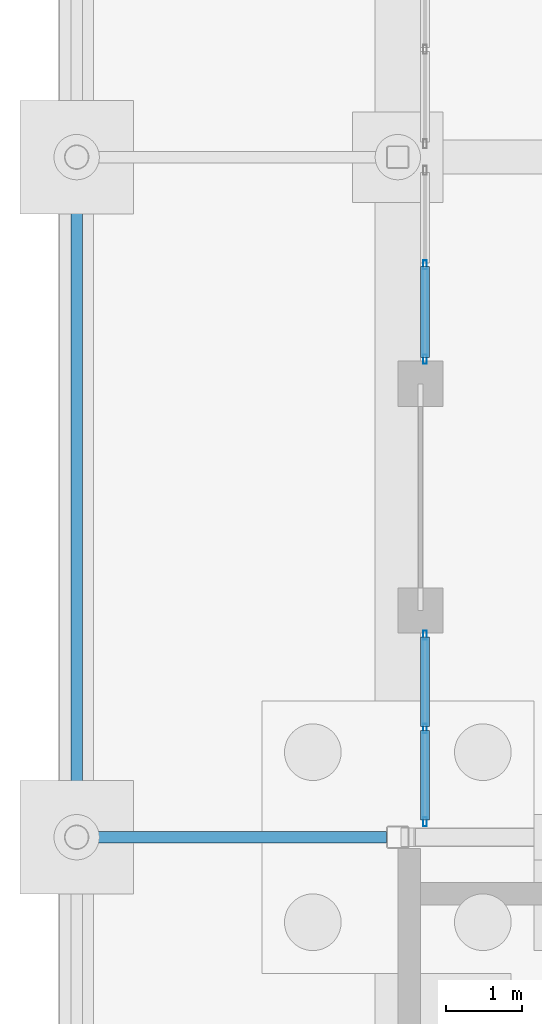
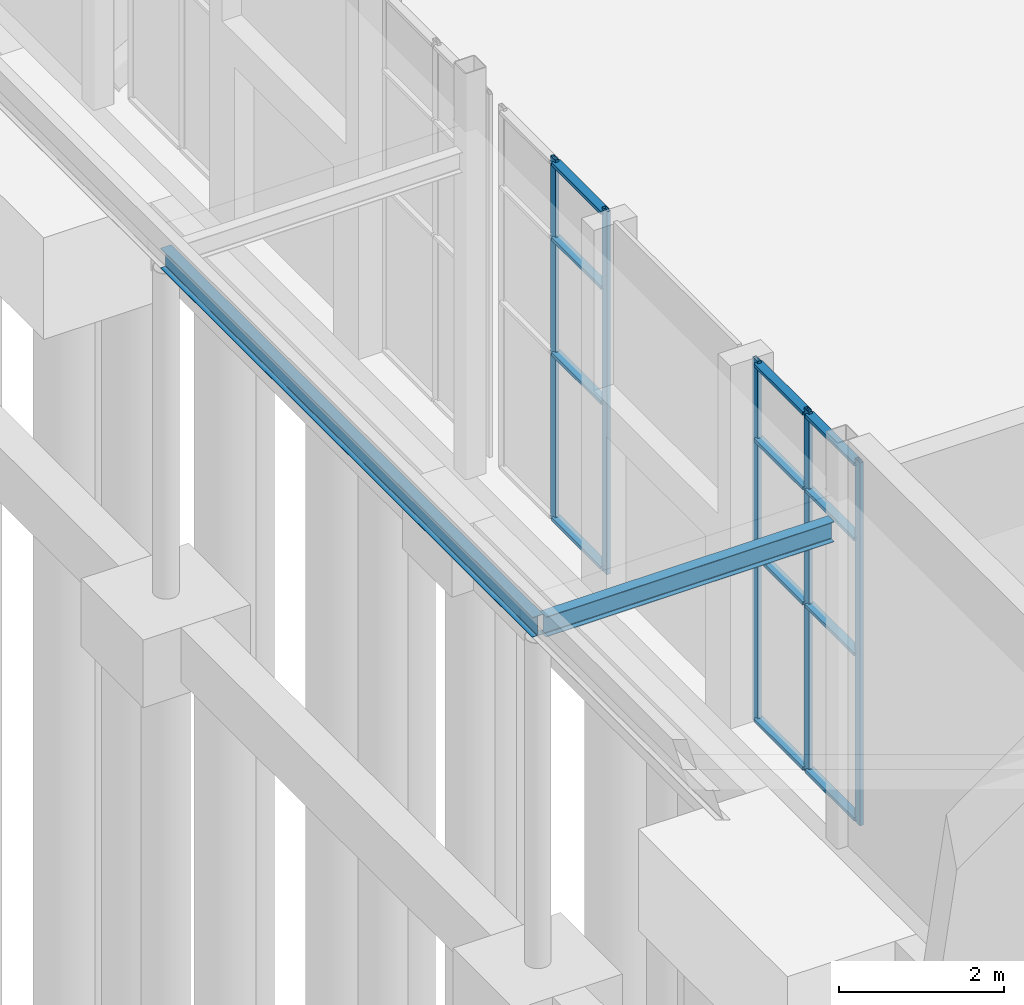
# One storey, part 48 of 139: 17 members, 2 beams, 2 elements without a shape of their own.
"""IFC4 building model written with IfcOpenShell, lengths in metres."""

from ifc_helpers import new_model, si_unit, direction, frame, origin, origin_2d, place, context, subcontext, project, spatial, hollow_rectangle, i_section, extrude, material, layer, layer_set, material_profile, profile_set, type_object, element, aggregate, save


model = new_model("IFC4")

# Units and contexts
model_context = context("Model", 3, precision=1e-05, world=origin(), true_north=direction((0.0, 1.0)))
body_context = subcontext(model_context, "Body", "Model", "MODEL_VIEW")
ifc_project = project(units=[si_unit("LENGTHUNIT", "METRE"), si_unit("AREAUNIT", "SQUARE_METRE"), si_unit("VOLUMEUNIT", "CUBIC_METRE"), si_unit("PLANEANGLEUNIT", "RADIAN"), si_unit("MASSUNIT", "GRAM", prefix="KILO")], contexts=[model_context])

# Site, building, storey
site_placement = place(None, origin())
site = spatial("IfcSite", under=ifc_project, at=site_placement, CompositionType="ELEMENT")
building_placement = place(site_placement, origin())
building = spatial("IfcBuilding", under=site, at=building_placement, Name="Shorebreak Coast Museum", CompositionType="ELEMENT")
storey_placement = place(building_placement, origin())
storey = spatial("IfcBuildingStorey", under=building, at=storey_placement, Name="L00", CompositionType="ELEMENT", Elevation=0.0)

# Beams
ifc_material_1 = material(Name="Steel Grade 300", Category="steel")
ifc_material_profile_1 = material_profile(ifc_material_1, i_section(OverallWidth=0.14892578125, OverallDepth=0.298095703125, WebThickness=0.005615234375, FlangeThickness=0.008056640625, FilletRadius=0.012939453125, at=origin_2d()), Name="310UB32.0")
ifc_profile_set_1 = profile_set([ifc_material_profile_1], Name="Steel Grade 300")
beam_type_1 = type_object("IfcBeamType", Name="Arcade edge beam 310UB32.0", PredefinedType="BEAM", material=ifc_profile_set_1)
beam_1_placement = place(storey_placement, frame((-4.25, 63.0, 4.65087890625), z_axis=(0.0, 1.0, 0.0), x_axis=(-1.0, 0.0, 0.0)))
element("IfcBeam", 1, at=beam_1_placement, inside=storey, type_object=beam_type_1, Name="Arcade edge beam west 2", PredefinedType="BEAM", context=body_context, shape_type="SweptSolid", body=[
    extrude(i_section(OverallWidth=0.14892578125, OverallDepth=0.298095703125, WebThickness=0.005615234375, FlangeThickness=0.008056640625, FilletRadius=0.012939453125, at=origin_2d()), origin(), (0.0, 0.0, 1.0), 9.0),
])
ifc_material_2 = material(Name="Steel Grade 300", Category="steel")
ifc_material_profile_2 = material_profile(ifc_material_2, i_section(OverallWidth=0.14892578125, OverallDepth=0.298095703125, WebThickness=0.005615234375, FlangeThickness=0.008056640625, FilletRadius=0.012939453125, at=origin_2d()), Name="310UB32.0")
ifc_profile_set_2 = profile_set([ifc_material_profile_2], Name="Steel Grade 300")
beam_type_2 = type_object("IfcBeamType", Name="Arcade primary beam 310UB32.0", PredefinedType="BEAM", material=ifc_profile_set_2)
beam_2_placement = place(storey_placement, frame((-0.14990234375, 63.0, 4.65087890625), z_axis=(-1.0, 0.0, 0.0), x_axis=(0.0, -1.0, 0.0)))
element("IfcBeam", 2, at=beam_2_placement, inside=storey, type_object=beam_type_2, Name="Arcade primary beam west 2", PredefinedType="BEAM", context=body_context, shape_type="SweptSolid", body=[
    extrude(i_section(OverallWidth=0.14892578125, OverallDepth=0.298095703125, WebThickness=0.005615234375, FlangeThickness=0.008056640625, FilletRadius=0.012939453125, at=origin_2d()), origin(), (0.0, 0.0, 1.0), 4.025634765625),
])

# Curtain wall, members
ifc_material_3 = material(Name="Aluminium", Category="aluminium")
ifc_layer = layer(ifc_material_3, 0.1201171875)
ifc_layer_set = layer_set([ifc_layer], Name="Aluminium")
curtain_wall_type = type_object("IfcCurtainWallType", Name="Entrance sidelight curtain wall", PredefinedType="NOTDEFINED", material=ifc_layer_set)
curtain_wall_1_placement = place(storey_placement, origin())
curtain_wall_1 = element("IfcCurtainWall", 3, at=curtain_wall_1_placement, inside=storey, type_object=curtain_wall_type, Name="Entrance glazing ENT-W 1", PredefinedType="NOTDEFINED")
ifc_material_4 = material(Name="Aluminium", Category="aluminium")
ifc_material_profile_3 = material_profile(ifc_material_4, hollow_rectangle(XDim=0.050048828125, YDim=0.1201171875, WallThickness=0.0029296875, at=origin_2d()), Name="AL 120x50 RHS")
ifc_profile_set_3 = profile_set([ifc_material_profile_3], Name="Aluminium")
member_type_1 = type_object("IfcMemberType", Name="Entrance mullion 50 x 120", PredefinedType="MULLION", material=ifc_profile_set_3)
member_1_placement = place(storey_placement, frame((0.3583984375, 63.202880859375, 0.0), z_axis=(0.0, 0.0, 1.0), x_axis=(-1.0, 0.0, 0.0)))
member_1 = element("IfcMember", 4, at=member_1_placement, type_object=member_type_1, Name="CW2 mullion 1", PredefinedType="MULLION", context=body_context, shape_type="SweptSolid", body=[
    extrude(hollow_rectangle(XDim=0.050048828125, YDim=0.1201171875, WallThickness=0.0029296875, at=origin_2d()), origin(), (0.0, 0.0, 1.0), 5.364501953125),
])
member_2_placement = place(storey_placement, frame((0.3583984375, 64.43896484375, 0.0), z_axis=(0.0, 0.0, 1.0), x_axis=(-1.0, 0.0, 0.0)))
member_2 = element("IfcMember", 5, at=member_2_placement, type_object=member_type_1, Name="CW2 mullion 2", PredefinedType="MULLION", context=body_context, shape_type="SweptSolid", body=[
    extrude(hollow_rectangle(XDim=0.050048828125, YDim=0.1201171875, WallThickness=0.0029296875, at=origin_2d()), origin(), (0.0, 0.0, 1.0), 5.364501953125),
])
member_3_placement = place(storey_placement, frame((0.3583984375, 65.675048828125, 0.0), z_axis=(0.0, 0.0, 1.0), x_axis=(-1.0, 0.0, 0.0)))
member_3 = element("IfcMember", 6, at=member_3_placement, type_object=member_type_1, Name="CW2 mullion 3", PredefinedType="MULLION", context=body_context, shape_type="SweptSolid", body=[
    extrude(hollow_rectangle(XDim=0.050048828125, YDim=0.1201171875, WallThickness=0.0029296875, at=origin_2d()), origin(), (0.0, 0.0, 1.0), 5.364501953125),
])

curtain_wall_2_placement = place(storey_placement, origin())
curtain_wall_2 = element("IfcCurtainWall", 7, at=curtain_wall_2_placement, inside=storey, type_object=curtain_wall_type, Name="Entrance glazing ENT-W 2", PredefinedType="NOTDEFINED")
member_4_placement = place(storey_placement, frame((0.3583984375, 69.324951171875, 0.0), z_axis=(0.0, 0.0, 1.0), x_axis=(-1.0, 0.0, 0.0)))
member_4 = element("IfcMember", 8, at=member_4_placement, type_object=member_type_1, Name="CW1 mullion 1", PredefinedType="MULLION", context=body_context, shape_type="SweptSolid", body=[
    extrude(hollow_rectangle(XDim=0.050048828125, YDim=0.1201171875, WallThickness=0.0029296875, at=origin_2d()), origin(), (0.0, 0.0, 1.0), 5.364501953125),
])
member_5_placement = place(storey_placement, frame((0.3583984375, 70.574951171875, 0.0), z_axis=(0.0, 0.0, 1.0), x_axis=(-1.0, 0.0, 0.0)))
member_5 = element("IfcMember", 9, at=member_5_placement, type_object=member_type_1, Name="CW1 mullion 2", PredefinedType="MULLION", context=body_context, shape_type="SweptSolid", body=[
    extrude(hollow_rectangle(XDim=0.050048828125, YDim=0.1201171875, WallThickness=0.0029296875, at=origin_2d()), origin(), (0.0, 0.0, 1.0), 5.364501953125),
])

# Member
ifc_material_5 = material(Name="Aluminium", Category="aluminium")
ifc_material_profile_4 = material_profile(ifc_material_5, hollow_rectangle(XDim=0.1201171875, YDim=0.050048828125, WallThickness=0.0029296875, at=origin_2d()), Name="AL 50x120 RHS")
ifc_profile_set_4 = profile_set([ifc_material_profile_4], Name="Aluminium")
member_type_2 = type_object("IfcMemberType", Name="Entrance transom 120 x 50", PredefinedType="USERDEFINED", material=ifc_profile_set_4)
member_6_placement = place(storey_placement, frame((0.3583984375, 63.22802734375, 0.06005859375), z_axis=(0.0, 1.0, 0.0), x_axis=(-1.0, 0.0, 0.0)))
member_6 = element("IfcMember", 10, at=member_6_placement, type_object=member_type_2, Name="CW2 transom 1.1", ObjectType="TRANSOM", PredefinedType="USERDEFINED", context=body_context, shape_type="SweptSolid", body=[
    extrude(hollow_rectangle(XDim=0.1201171875, YDim=0.050048828125, WallThickness=0.0029296875, at=origin_2d()), origin(), (0.0, 0.0, 1.0), 1.18603515625),
])

member_7_placement = place(storey_placement, frame((0.3583984375, 63.22802734375, 2.5), z_axis=(0.0, 1.0, 0.0), x_axis=(-1.0, 0.0, 0.0)))
member_7 = element("IfcMember", 11, at=member_7_placement, type_object=member_type_2, Name="CW2 transom 1.2", ObjectType="TRANSOM", PredefinedType="USERDEFINED", context=body_context, shape_type="SweptSolid", body=[
    extrude(hollow_rectangle(XDim=0.1201171875, YDim=0.050048828125, WallThickness=0.0029296875, at=origin_2d()), origin(), (0.0, 0.0, 1.0), 1.18603515625),
])

member_8_placement = place(storey_placement, frame((0.3583984375, 63.22802734375, 4.199951171875), z_axis=(0.0, 1.0, 0.0), x_axis=(-1.0, 0.0, 0.0)))
member_8 = element("IfcMember", 12, at=member_8_placement, type_object=member_type_2, Name="CW2 transom 1.3", ObjectType="TRANSOM", PredefinedType="USERDEFINED", context=body_context, shape_type="SweptSolid", body=[
    extrude(hollow_rectangle(XDim=0.1201171875, YDim=0.050048828125, WallThickness=0.0029296875, at=origin_2d()), origin(), (0.0, 0.0, 1.0), 1.18603515625),
])

member_9_placement = place(storey_placement, frame((0.3583984375, 63.22802734375, 5.3046875), z_axis=(0.0, 1.0, 0.0), x_axis=(-1.0, 0.0, 0.0)))
member_9 = element("IfcMember", 13, at=member_9_placement, type_object=member_type_2, Name="CW2 transom 1.4", ObjectType="TRANSOM", PredefinedType="USERDEFINED", context=body_context, shape_type="SweptSolid", body=[
    extrude(hollow_rectangle(XDim=0.1201171875, YDim=0.050048828125, WallThickness=0.0029296875, at=origin_2d()), origin(), (0.0, 0.0, 1.0), 1.18603515625),
])

member_10_placement = place(storey_placement, frame((0.3583984375, 64.464111328125, 0.06005859375), z_axis=(0.0, 1.0, 0.0), x_axis=(-1.0, 0.0, 0.0)))
member_10 = element("IfcMember", 14, at=member_10_placement, type_object=member_type_2, Name="CW2 transom 2.1", ObjectType="TRANSOM", PredefinedType="USERDEFINED", context=body_context, shape_type="SweptSolid", body=[
    extrude(hollow_rectangle(XDim=0.1201171875, YDim=0.050048828125, WallThickness=0.0029296875, at=origin_2d()), origin(), (0.0, 0.0, 1.0), 1.185791015625),
])

member_11_placement = place(storey_placement, frame((0.3583984375, 64.464111328125, 2.5), z_axis=(0.0, 1.0, 0.0), x_axis=(-1.0, 0.0, 0.0)))
member_11 = element("IfcMember", 15, at=member_11_placement, type_object=member_type_2, Name="CW2 transom 2.2", ObjectType="TRANSOM", PredefinedType="USERDEFINED", context=body_context, shape_type="SweptSolid", body=[
    extrude(hollow_rectangle(XDim=0.1201171875, YDim=0.050048828125, WallThickness=0.0029296875, at=origin_2d()), origin(), (0.0, 0.0, 1.0), 1.185791015625),
])

member_12_placement = place(storey_placement, frame((0.3583984375, 64.464111328125, 4.199951171875), z_axis=(0.0, 1.0, 0.0), x_axis=(-1.0, 0.0, 0.0)))
member_12 = element("IfcMember", 16, at=member_12_placement, type_object=member_type_2, Name="CW2 transom 2.3", ObjectType="TRANSOM", PredefinedType="USERDEFINED", context=body_context, shape_type="SweptSolid", body=[
    extrude(hollow_rectangle(XDim=0.1201171875, YDim=0.050048828125, WallThickness=0.0029296875, at=origin_2d()), origin(), (0.0, 0.0, 1.0), 1.185791015625),
])

member_13_placement = place(storey_placement, frame((0.3583984375, 64.464111328125, 5.3046875), z_axis=(0.0, 1.0, 0.0), x_axis=(-1.0, 0.0, 0.0)))
member_13 = element("IfcMember", 17, at=member_13_placement, type_object=member_type_2, Name="CW2 transom 2.4", ObjectType="TRANSOM", PredefinedType="USERDEFINED", context=body_context, shape_type="SweptSolid", body=[
    extrude(hollow_rectangle(XDim=0.1201171875, YDim=0.050048828125, WallThickness=0.0029296875, at=origin_2d()), origin(), (0.0, 0.0, 1.0), 1.185791015625),
])

aggregate(curtain_wall_1, [member_1, member_2, member_3, member_6, member_7, member_8, member_9, member_10, member_11, member_12, member_13])

member_14_placement = place(storey_placement, frame((0.3583984375, 69.35009765625, 0.06005859375), z_axis=(0.0, 1.0, 0.0), x_axis=(-1.0, 0.0, 0.0)))
member_14 = element("IfcMember", 18, at=member_14_placement, type_object=member_type_2, Name="CW1 transom 1.1", ObjectType="TRANSOM", PredefinedType="USERDEFINED", context=body_context, shape_type="SweptSolid", body=[
    extrude(hollow_rectangle(XDim=0.1201171875, YDim=0.050048828125, WallThickness=0.0029296875, at=origin_2d()), origin(), (0.0, 0.0, 1.0), 1.199951171875),
])

member_15_placement = place(storey_placement, frame((0.3583984375, 69.35009765625, 2.5), z_axis=(0.0, 1.0, 0.0), x_axis=(-1.0, 0.0, 0.0)))
member_15 = element("IfcMember", 19, at=member_15_placement, type_object=member_type_2, Name="CW1 transom 1.2", ObjectType="TRANSOM", PredefinedType="USERDEFINED", context=body_context, shape_type="SweptSolid", body=[
    extrude(hollow_rectangle(XDim=0.1201171875, YDim=0.050048828125, WallThickness=0.0029296875, at=origin_2d()), origin(), (0.0, 0.0, 1.0), 1.199951171875),
])

member_16_placement = place(storey_placement, frame((0.3583984375, 69.35009765625, 4.199951171875), z_axis=(0.0, 1.0, 0.0), x_axis=(-1.0, 0.0, 0.0)))
member_16 = element("IfcMember", 20, at=member_16_placement, type_object=member_type_2, Name="CW1 transom 1.3", ObjectType="TRANSOM", PredefinedType="USERDEFINED", context=body_context, shape_type="SweptSolid", body=[
    extrude(hollow_rectangle(XDim=0.1201171875, YDim=0.050048828125, WallThickness=0.0029296875, at=origin_2d()), origin(), (0.0, 0.0, 1.0), 1.199951171875),
])

member_17_placement = place(storey_placement, frame((0.3583984375, 69.35009765625, 5.3046875), z_axis=(0.0, 1.0, 0.0), x_axis=(-1.0, 0.0, 0.0)))
member_17 = element("IfcMember", 21, at=member_17_placement, type_object=member_type_2, Name="CW1 transom 1.4", ObjectType="TRANSOM", PredefinedType="USERDEFINED", context=body_context, shape_type="SweptSolid", body=[
    extrude(hollow_rectangle(XDim=0.1201171875, YDim=0.050048828125, WallThickness=0.0029296875, at=origin_2d()), origin(), (0.0, 0.0, 1.0), 1.199951171875),
])

aggregate(curtain_wall_2, [member_4, member_5, member_14, member_15, member_16, member_17])

save(model, "model.ifc")
